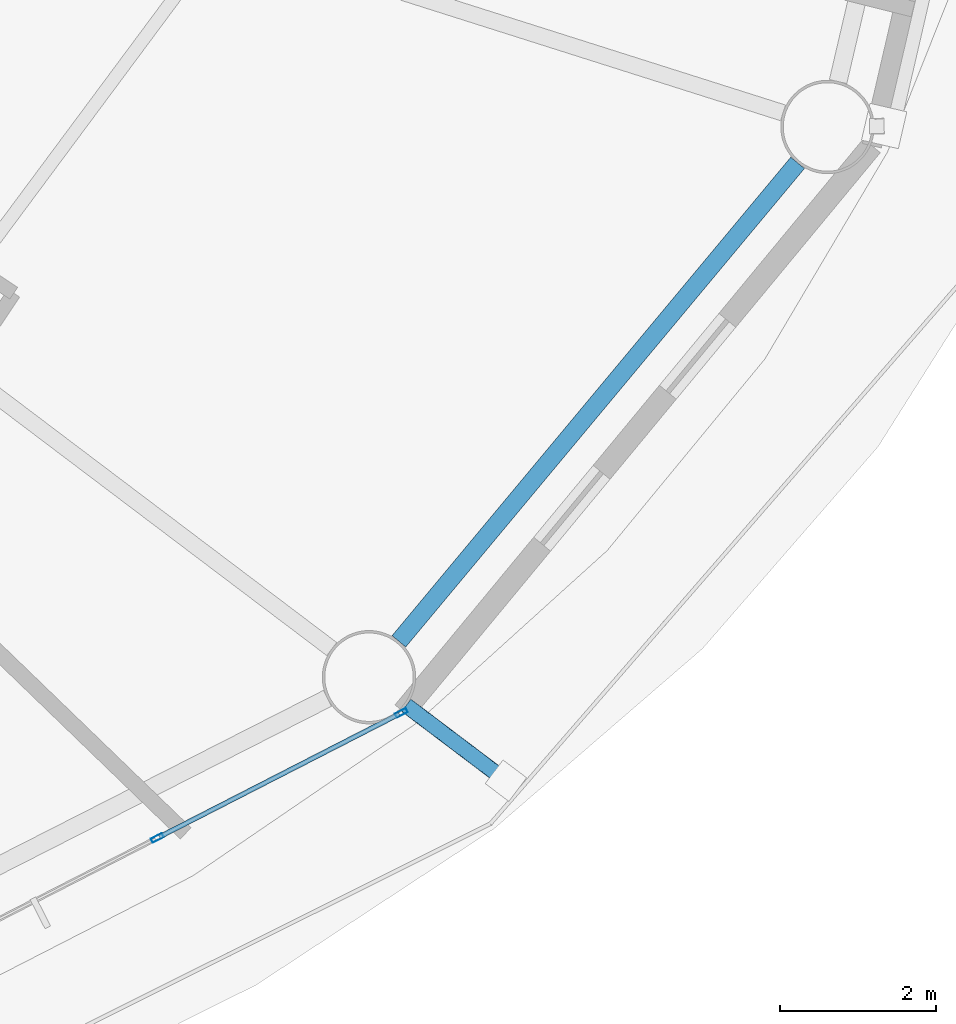
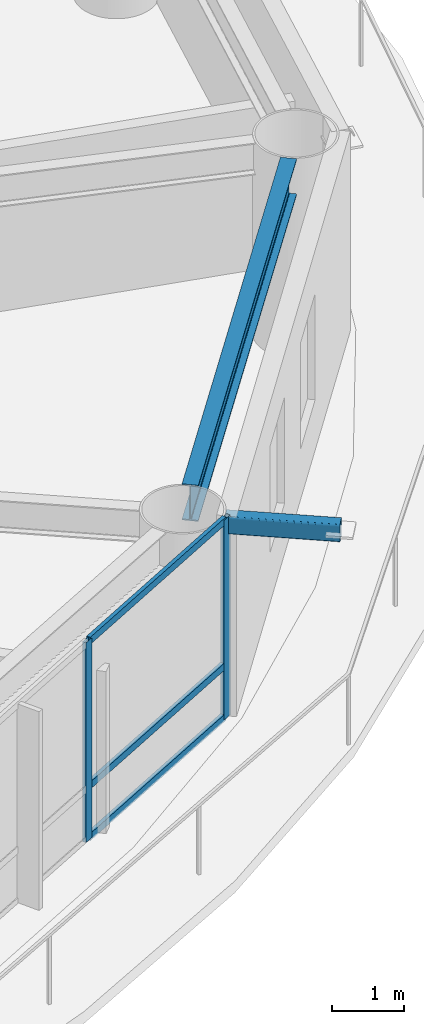
# One storey, part 6 of 24: 6 members, 1 beam, 1 element without a shape of its own.
"""IFC4 building model written with IfcOpenShell, lengths in metres."""

from ifc_helpers import new_model, si_unit, direction, frame, origin, origin_2d, place, context, subcontext, project, spatial, hollow_rectangle, i_section, extrude, material, layer, layer_set, material_profile, profile_set, type_object, element, aggregate, save


model = new_model("IFC4")

# Units and contexts
model_context = context("Model", 3, precision=1e-05, world=origin(), true_north=direction((0.0, 1.0)))
body_context = subcontext(model_context, "Body", "Model", "MODEL_VIEW")
ifc_project = project(units=[si_unit("LENGTHUNIT", "METRE"), si_unit("AREAUNIT", "SQUARE_METRE"), si_unit("VOLUMEUNIT", "CUBIC_METRE"), si_unit("PLANEANGLEUNIT", "RADIAN"), si_unit("MASSUNIT", "GRAM", prefix="KILO")], contexts=[model_context])

# Site, building, storey
site_placement = place(None, origin())
site = spatial("IfcSite", under=ifc_project, at=site_placement, CompositionType="ELEMENT")
building_placement = place(site_placement, origin())
building = spatial("IfcBuilding", under=site, at=building_placement, Name="Sarneth Arch Tower", CompositionType="ELEMENT")
storey_placement = place(building_placement, frame((0.0, 0.0, 94.800048828125)))
storey = spatial("IfcBuildingStorey", under=building, at=storey_placement, Name="L23", CompositionType="ELEMENT", Elevation=94.800048828125)

# Beam
ifc_material_1 = material(Name="Steel S355", Category="steel")
ifc_material_profile_1 = material_profile(ifc_material_1, i_section(OverallWidth=0.22900390625, OverallDepth=0.612060546875, WebThickness=0.011962890625, FlangeThickness=0.01953125, FilletRadius=0.01904296875, at=origin_2d()), Name="W610x125")
ifc_profile_set_1 = profile_set([ifc_material_profile_1], Name="Steel S355")
beam_type = type_object("IfcBeamType", Name="BM-SPAN-610C", PredefinedType="SPANDREL", material=ifc_profile_set_1)
beam_placement = place(storey_placement, frame((68.78173828125, 27.0458984375, 3.073974609375), z_axis=(0.640163403463, 0.768238775946, 0.0), x_axis=(-0.768238775946, 0.640163403463, 0.0)))
element("IfcBeam", 1, at=beam_placement, inside=storey, type_object=beam_type, Name="L23 Perimeter spandrel beam 15", PredefinedType="SPANDREL", context=body_context, shape_type="SweptSolid", body=[
    extrude(i_section(OverallWidth=0.22900390625, OverallDepth=0.612060546875, WebThickness=0.011962890625, FlangeThickness=0.01953125, FilletRadius=0.01904296875, at=origin_2d()), origin(), (0.0, 0.0, 1.0), 8.006103515625),
])

# Curtain wall, members
ifc_material_2 = material(Name="Anodised aluminium Type AA25 and solar-control low-e laminated IGU", Category="aluminium")
ifc_layer = layer(ifc_material_2, 0.159912109375)
ifc_layer_set = layer_set([ifc_layer], Name="Anodised aluminium Type AA25 and solar-control low-e laminated IGU")
curtain_wall_type = type_object("IfcCurtainWallType", Name="CW-HOTEL-MID", PredefinedType="NOTDEFINED", material=ifc_layer_set)
curtain_wall_placement = place(storey_placement, origin())
curtain_wall = element("IfcCurtainWall", 2, at=curtain_wall_placement, inside=storey, type_object=curtain_wall_type, Name="L23 Unitised curtain wall facet 14", PredefinedType="NOTDEFINED")
ifc_material_3 = material(Name="Anodised Aluminium 6063-T6", Category="aluminium")
ifc_material_profile_2 = material_profile(ifc_material_3, hollow_rectangle(XDim=0.06005859375, YDim=0.159912109375, WallThickness=0.00390625, at=origin_2d()), Name="AL-MULL-160x60x4")
ifc_profile_set_2 = profile_set([ifc_material_profile_2], Name="Anodised Aluminium 6063-T6")
member_type_1 = type_object("IfcMemberType", Name="CW-MULLION", PredefinedType="MULLION", material=ifc_profile_set_2)
member_1_placement = place(storey_placement, frame((65.677001953125, 24.518798828125, 0.0), z_axis=(0.0, 0.0, 1.0), x_axis=(-0.456031365356, 0.889963703649, 0.0)))
member_1 = element("IfcMember", 3, at=member_1_placement, type_object=member_type_1, Name="CW-SYS-4 mullion 3", PredefinedType="MULLION", context=body_context, shape_type="SweptSolid", body=[
    extrude(hollow_rectangle(XDim=0.06005859375, YDim=0.159912109375, WallThickness=0.00390625, at=origin_2d()), origin(), (0.0, 0.0, 1.0), 3.3798828125),
])
member_2_placement = place(storey_placement, frame((68.813232421875, 26.1259765625, 0.0), z_axis=(0.0, 0.0, 1.0), x_axis=(-0.456031365356, 0.889963703649, 0.0)))
member_2 = element("IfcMember", 4, at=member_2_placement, type_object=member_type_1, Name="CW-SYS-4 mullion 4", PredefinedType="MULLION", context=body_context, shape_type="SweptSolid", body=[
    extrude(hollow_rectangle(XDim=0.06005859375, YDim=0.159912109375, WallThickness=0.00390625, at=origin_2d()), origin(), (0.0, 0.0, 1.0), 3.3798828125),
])
ifc_material_4 = material(Name="Anodised Aluminium 6063-T6", Category="aluminium")
ifc_material_profile_3 = material_profile(ifc_material_4, hollow_rectangle(XDim=0.06005859375, YDim=0.1201171875, WallThickness=0.00390625, at=origin_2d()), Name="AL-TRAN-120x60x4")
ifc_profile_set_3 = profile_set([ifc_material_profile_3], Name="Anodised Aluminium 6063-T6")
member_type_2 = type_object("IfcMemberType", Name="CW-TRANSOM", PredefinedType="USERDEFINED", material=ifc_profile_set_3)
member_3_placement = place(storey_placement, frame((65.703857421875, 24.532470703125, 0.030029296875), z_axis=(0.889942905184, 0.456071952122, 0.0), x_axis=(-0.456071952122, 0.889942905184, 0.0)))
member_3 = element("IfcMember", 5, at=member_3_placement, type_object=member_type_2, Name="CW-SYS-4 transom 3.1", ObjectType="TRANSOM", PredefinedType="USERDEFINED", context=body_context, shape_type="SweptSolid", body=[
    extrude(hollow_rectangle(XDim=0.06005859375, YDim=0.1201171875, WallThickness=0.00390625, at=origin_2d()), origin(), (0.0, 0.0, 1.0), 3.464111328125),
])
member_4_placement = place(storey_placement, frame((65.703857421875, 24.532470703125, 0.89990234375), z_axis=(0.889942905184, 0.456071952122, 0.0), x_axis=(-0.456071952122, 0.889942905184, 0.0)))
member_4 = element("IfcMember", 6, at=member_4_placement, type_object=member_type_2, Name="CW-SYS-4 transom 3.2", ObjectType="TRANSOM", PredefinedType="USERDEFINED", context=body_context, shape_type="SweptSolid", body=[
    extrude(hollow_rectangle(XDim=0.06005859375, YDim=0.1201171875, WallThickness=0.00390625, at=origin_2d()), origin(), (0.0, 0.0, 1.0), 3.464111328125),
])
member_5_placement = place(storey_placement, frame((65.703857421875, 24.532470703125, 3.349853515625), z_axis=(0.889942905184, 0.456071952122, 0.0), x_axis=(-0.456071952122, 0.889942905184, 0.0)))
member_5 = element("IfcMember", 7, at=member_5_placement, type_object=member_type_2, Name="CW-SYS-4 transom 3.3", ObjectType="TRANSOM", PredefinedType="USERDEFINED", context=body_context, shape_type="SweptSolid", body=[
    extrude(hollow_rectangle(XDim=0.06005859375, YDim=0.1201171875, WallThickness=0.00390625, at=origin_2d()), origin(), (0.0, 0.0, 1.0), 3.464111328125),
])
aggregate(curtain_wall, [member_1, member_2, member_3, member_4, member_5])

# Member
ifc_material_5 = material(Name="Steel S355", Category="steel")
ifc_material_profile_4 = material_profile(ifc_material_5, hollow_rectangle(XDim=0.199951171875, YDim=0.300048828125, WallThickness=0.012451171875, InnerFilletRadius=0.018798828125, OuterFilletRadius=0.03125, at=origin_2d()), Name="RHS300x200x12.5")
ifc_profile_set_4 = profile_set([ifc_material_profile_4], Name="Steel S355")
member_type_3 = type_object("IfcMemberType", Name="MEM-CANT-STRUT", PredefinedType="STRUT", material=ifc_profile_set_4)
member_6_placement = place(storey_placement, frame((68.876220703125, 26.223388671875, 3.219970703125), z_axis=(0.797805574696, -0.602914807402, 0.0), x_axis=(0.602914807402, 0.797805574696, 0.0)))
element("IfcMember", 8, at=member_6_placement, inside=storey, type_object=member_type_3, Name="L23 Balcony cantilever bracket 15", PredefinedType="STRUT", context=body_context, shape_type="SweptSolid", body=[
    extrude(hollow_rectangle(XDim=0.199951171875, YDim=0.300048828125, WallThickness=0.012451171875, InnerFilletRadius=0.018798828125, OuterFilletRadius=0.03125, at=origin_2d()), origin(), (0.0, 0.0, 1.0), 1.60595703125),
])

save(model, "model.ifc")
